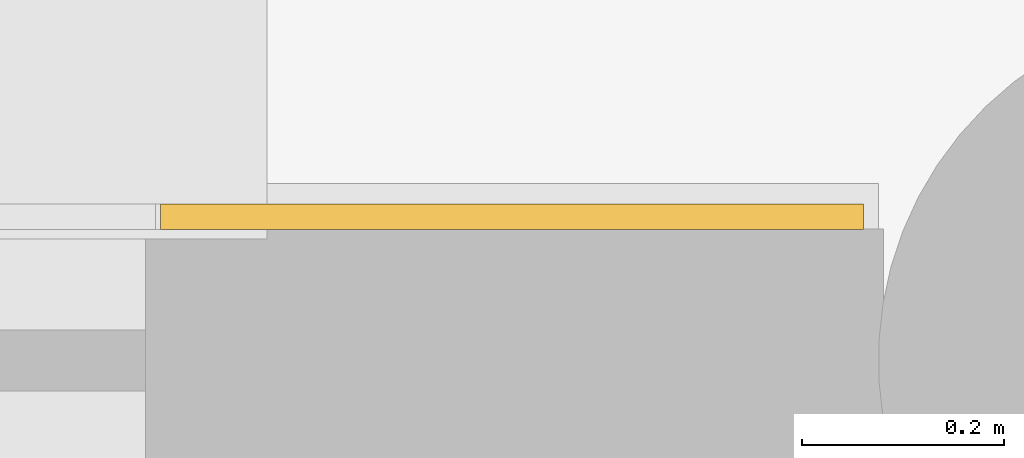
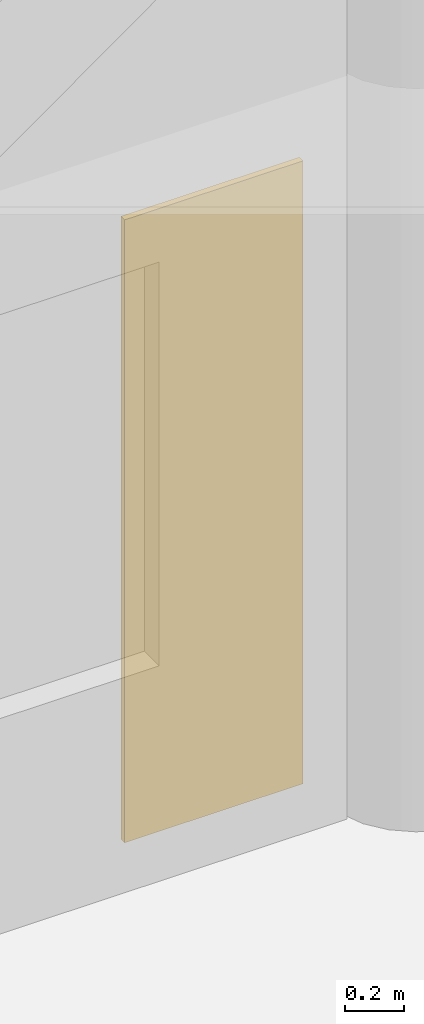
# One storey, part 99 of 103: 1 covering.
"""IFC4 building model written with IfcOpenShell, lengths in metres."""

from ifc_helpers import new_model, si_unit, direction, frame, origin, origin_2d, place, context, subcontext, project, spatial, rectangle, extrude, material, layer, layer_set, type_object, element, save


model = new_model("IFC4")

# Units and contexts
model_context = context("Model", 3, precision=1e-05, world=origin(), true_north=direction((0.0, 1.0)))
body_context = subcontext(model_context, "Body", "Model", "MODEL_VIEW")
ifc_project = project(units=[si_unit("LENGTHUNIT", "METRE"), si_unit("AREAUNIT", "SQUARE_METRE"), si_unit("VOLUMEUNIT", "CUBIC_METRE"), si_unit("PLANEANGLEUNIT", "RADIAN"), si_unit("MASSUNIT", "GRAM", prefix="KILO")], contexts=[model_context])

# Site, building, storey
site_placement = place(None, origin())
site = spatial("IfcSite", under=ifc_project, at=site_placement, CompositionType="ELEMENT")
building_placement = place(site_placement, origin())
building = spatial("IfcBuilding", under=site, at=building_placement, Name="Namkhue Oval Health Centre", CompositionType="ELEMENT")
storey_placement = place(building_placement, origin())
storey = spatial("IfcBuildingStorey", under=building, at=storey_placement, Name="L00", CompositionType="ELEMENT", Elevation=0.0)

# Covering
ifc_material = material(Name="White glass-fibre reinforced concrete GRC rainscreen cladding", Category="concrete")
ifc_layer = layer(ifc_material, 0.02490234375)
ifc_layer_set = layer_set([ifc_layer], Name="White glass-fibre reinforced concrete GRC rainscreen cladding")
covering_type = type_object("IfcCoveringType", Name="WHITE GRC RAINSCREEN CLADDING 25", PredefinedType="CLADDING", material=ifc_layer_set)
covering_placement = place(storey_placement, frame((121.687744140625, 104.5419921875, 0.010009765625), z_axis=(0.0, 0.0, 1.0), x_axis=(-1.0, 0.0, 0.0)))
element("IfcCovering", 1, at=covering_placement, inside=storey, type_object=covering_type, Name="Volume V3 L00 Facade 57 White GRC Cladding 2", PredefinedType="CLADDING", context=body_context, shape_type="SweptSolid", body=[
    extrude(rectangle(XDim=0.694580078125, YDim=0.02490234375, at=origin_2d()), origin(), (0.0, 0.0, 1.0), 2.56005859375),
])

save(model, "model.ifc")
